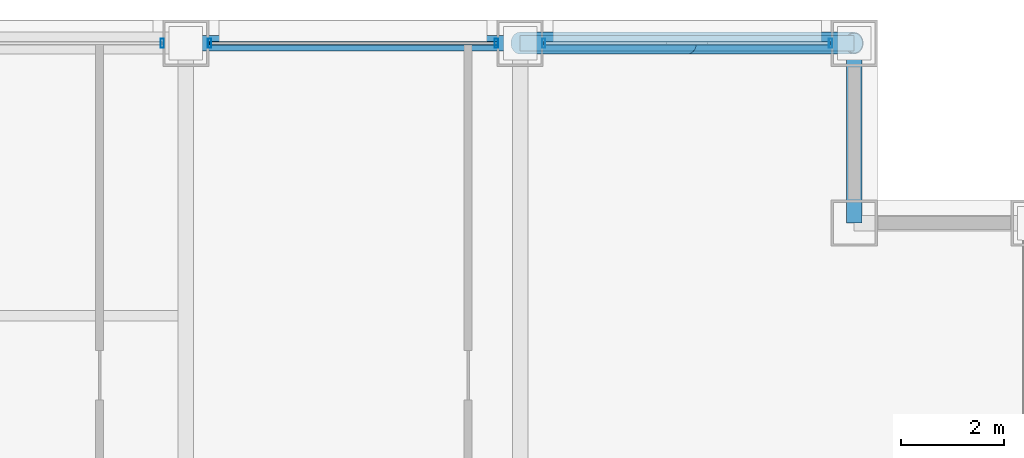
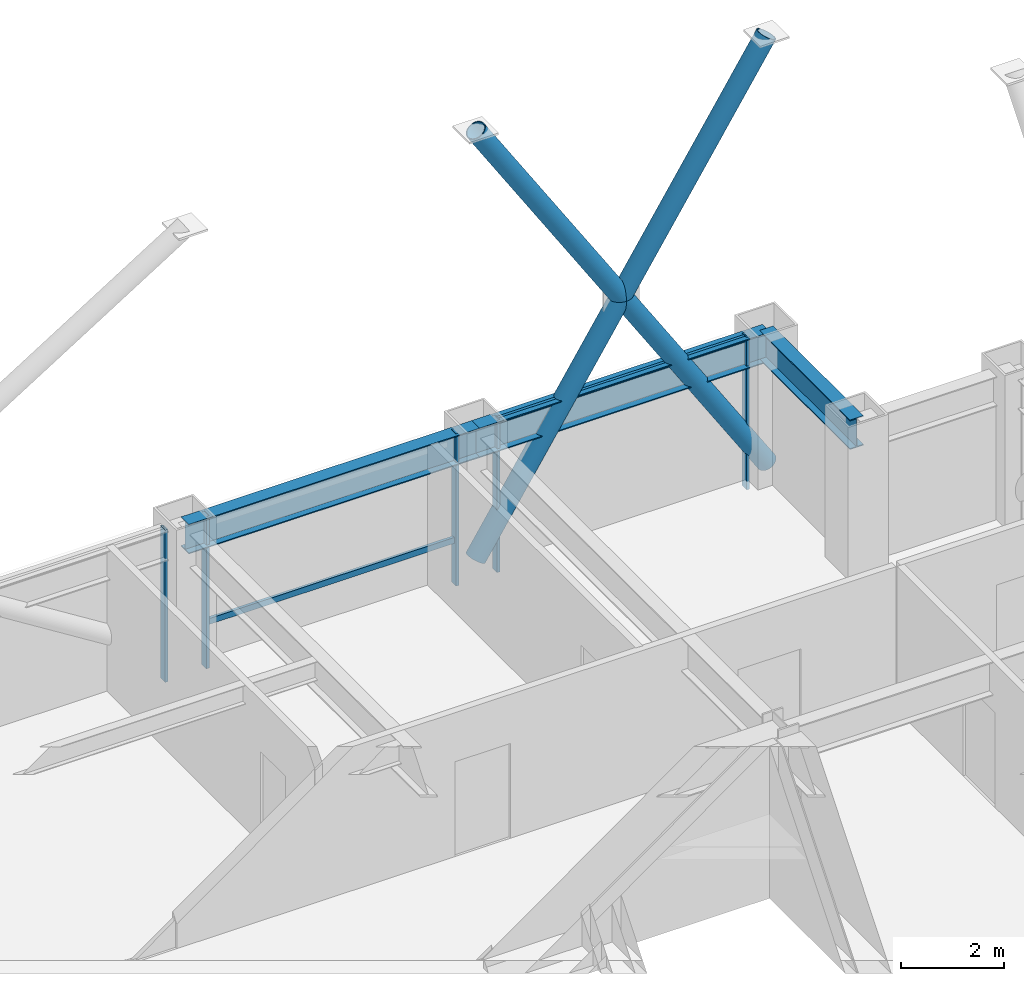
# One storey, part 21 of 29: 10 members, 3 beams, 3 elements without a shape of their own.
"""IFC4 building model written with IfcOpenShell, lengths in metres."""

from ifc_helpers import new_model, si_unit, direction, frame, origin, origin_2d, place, context, subcontext, project, spatial, hollow_rectangle, hollow_circle, i_section, extrude, material, layer, layer_set, material_profile, profile_set, type_object, element, aggregate, save


model = new_model("IFC4")

# Units and contexts
model_context = context("Model", 3, precision=1e-05, world=origin(), true_north=direction((0.0, 1.0)))
body_context = subcontext(model_context, "Body", "Model", "MODEL_VIEW")
ifc_project = project(units=[si_unit("LENGTHUNIT", "METRE"), si_unit("AREAUNIT", "SQUARE_METRE"), si_unit("VOLUMEUNIT", "CUBIC_METRE"), si_unit("PLANEANGLEUNIT", "RADIAN"), si_unit("MASSUNIT", "GRAM", prefix="KILO")], contexts=[model_context])

# Site, building, storey
site_placement = place(None, origin())
site = spatial("IfcSite", under=ifc_project, at=site_placement, CompositionType="ELEMENT")
building_placement = place(site_placement, origin())
building = spatial("IfcBuilding", under=site, at=building_placement, Name="Brelmoor Portico Tower", CompositionType="ELEMENT")
storey_placement = place(building_placement, frame((0.0, 0.0, 67.199951171875)))
storey = spatial("IfcBuildingStorey", under=building, at=storey_placement, Name="L17", CompositionType="ELEMENT", Elevation=67.199951171875)

# Beams
ifc_material_1 = material(Name="Steel Q355B", Category="steel")
ifc_material_profile_1 = material_profile(ifc_material_1, i_section(OverallWidth=0.300048828125, OverallDepth=0.699951171875, WebThickness=0.012939453125, FlangeThickness=0.02392578125, at=origin_2d()), Name="HN 700x300x13x24")
ifc_profile_set_1 = profile_set([ifc_material_profile_1], Name="Steel Q355B")
beam_type = type_object("IfcBeamType", Name="BM-SP-700", PredefinedType="SPANDREL", material=ifc_profile_set_1)
for number, where, z_axis, x_axis, name in (
    (1, (8.050048828125, 21.550048828125, 3.050048828125), (1.0, 0.0, 0.0), (0.0, 1.0, 0.0), "L17 Perimeter Spandrel Beam SP-13"),
    (2, (14.550048828125, 21.550048828125, 3.050048828125), (1.0, 0.0, 0.0), (0.0, 1.0, 0.0), "L17 Perimeter Spandrel Beam SP-14"),
):
    element("IfcBeam", number, at=place(storey_placement, frame(where, z_axis=z_axis, x_axis=x_axis)), inside=storey, type_object=beam_type, Name=name, PredefinedType="SPANDREL", context=body_context, shape_type="SweptSolid", body=[
        extrude(i_section(OverallWidth=0.300048828125, OverallDepth=0.699951171875, WebThickness=0.012939453125, FlangeThickness=0.02392578125, at=origin_2d()), origin(), (0.0, 0.0, 1.0), 6.5),
    ])
beam_placement = place(storey_placement, frame((21.050048828125, 18.050048828125, 3.050048828125), z_axis=(0.0, 1.0, 0.0), x_axis=(-1.0, 0.0, 0.0)))
element("IfcBeam", 3, at=beam_placement, inside=storey, type_object=beam_type, Name="L17 Perimeter Spandrel Beam SP-21", PredefinedType="SPANDREL", context=body_context, shape_type="SweptSolid", body=[
    extrude(i_section(OverallWidth=0.300048828125, OverallDepth=0.699951171875, WebThickness=0.012939453125, FlangeThickness=0.02392578125, at=origin_2d()), origin(), (0.0, 0.0, 1.0), 3.5),
])

# Members
ifc_material_profile_2 = material_profile(ifc_material_1, hollow_circle(Radius=0.212890625, WallThickness=0.02001953125, at=origin_2d()), Name="CHS 426x20")
ifc_profile_set_2 = profile_set([ifc_material_profile_2], Name="Steel Q355B")
member_type_1 = type_object("IfcMemberType", Name="MB-BELT-DIAG1", PredefinedType="BRACE", material=ifc_profile_set_2)
member_1_placement = place(storey_placement, frame((14.550048828125, 21.550048828125, 0.25), z_axis=(0.541174623135, 0.0, 0.840910237347), x_axis=(0.0, 1.0, 0.0)))
element("IfcMember", 4, at=member_1_placement, inside=storey, type_object=member_type_1, Name="L17 Continuous Mega-X Brace 038A", PredefinedType="BRACE", context=body_context, shape_type="SweptSolid", body=[
    extrude(hollow_circle(Radius=0.212890625, WallThickness=0.02001953125, at=origin_2d()), origin(), (0.0, 0.0, 1.0), 12.010986328125),
])
for number, where, z_axis, x_axis, name in (
    (5, (21.050048828125, 21.550048828125, 0.25), (-0.541174623135, 0.0, 0.840910237347), (0.0, -1.0, 0.0), "L17 Split Mega-X Brace 038B1"),
    (6, (17.800048828125, 21.550048828125, 5.300048828125), (-0.541174623135, 0.0, 0.840910237347), (0.0, -1.0, 0.0), "L17 Split Mega-X Brace 038B2"),
):
    element("IfcMember", number, at=place(storey_placement, frame(where, z_axis=z_axis, x_axis=x_axis)), inside=storey, type_object=member_type_1, Name=name, PredefinedType="BRACE", context=body_context, shape_type="SweptSolid", body=[
        extrude(hollow_circle(Radius=0.212890625, WallThickness=0.02001953125, at=origin_2d()), origin(), (0.0, 0.0, 1.0), 6.00537109375),
    ])

# Curtain wall, member
ifc_material_2 = material(Name="Anodised Aluminium Alloy 6063-T6", Category="aluminium")
ifc_layer_1 = layer(ifc_material_2, 0.179931640625)
ifc_layer_set_1 = layer_set([ifc_layer_1], Name="Anodised Aluminium Alloy 6063-T6")
curtain_wall_type_1 = type_object("IfcCurtainWallType", Name="CW-TOWER-Z1-XB", PredefinedType="NOTDEFINED", material=ifc_layer_set_1)
curtain_wall_1_placement = place(storey_placement, origin())
curtain_wall_1 = element("IfcCurtainWall", 7, at=curtain_wall_1_placement, inside=storey, type_object=curtain_wall_type_1, Name="L17 Curtain Wall CW-L17-02-3", PredefinedType="NOTDEFINED")
ifc_material_profile_3 = material_profile(ifc_material_2, hollow_rectangle(XDim=0.06494140625, YDim=0.179931640625, WallThickness=0.00390625, at=origin_2d()), Name="ALU MULLION 65x180")
ifc_profile_set_3 = profile_set([ifc_material_profile_3], Name="Anodised Aluminium Alloy 6063-T6")
member_type_2 = type_object("IfcMemberType", Name="MB-CW-MULL-180", PredefinedType="MULLION", material=ifc_profile_set_3)
member_2_placement = place(storey_placement, frame((7.590087890625, 21.550048828125, -0.199951171875), z_axis=(0.0, 0.0, 1.0), x_axis=(1.0, 0.0, 0.0)))
member_2 = element("IfcMember", 8, at=member_2_placement, type_object=member_type_2, Name="CW-L17-02-3 Mullion 01", PredefinedType="MULLION", context=body_context, shape_type="SweptSolid", body=[
    extrude(hollow_rectangle(XDim=0.06494140625, YDim=0.179931640625, WallThickness=0.00390625, at=origin_2d()), origin(), (0.0, 0.0, 1.0), 3.60009765625),
])
aggregate(curtain_wall_1, [member_2])

# Curtain wall, members
ifc_layer_2 = layer(ifc_material_2, 0.179931640625)
ifc_layer_set_2 = layer_set([ifc_layer_2], Name="Anodised Aluminium Alloy 6063-T6")
curtain_wall_type_2 = type_object("IfcCurtainWallType", Name="CW-TOWER-Z1", PredefinedType="NOTDEFINED", material=ifc_layer_set_2)
curtain_wall_2_placement = place(storey_placement, origin())
curtain_wall_2 = element("IfcCurtainWall", 9, at=curtain_wall_2_placement, inside=storey, type_object=curtain_wall_type_2, Name="L17 Curtain Wall CW-L17-02-4", PredefinedType="NOTDEFINED")
member_3_placement = place(storey_placement, frame((8.510009765625, 21.550048828125, -0.199951171875), z_axis=(0.0, 0.0, 1.0), x_axis=(1.0, 0.0, 0.0)))
member_3 = element("IfcMember", 10, at=member_3_placement, type_object=member_type_2, Name="CW-L17-02-4 Mullion 00", PredefinedType="MULLION", context=body_context, shape_type="SweptSolid", body=[
    extrude(hollow_rectangle(XDim=0.06494140625, YDim=0.179931640625, WallThickness=0.00390625, at=origin_2d()), origin(), (0.0, 0.0, 1.0), 3.60009765625),
])
member_4_placement = place(storey_placement, frame((14.090087890625, 21.550048828125, -0.199951171875), z_axis=(0.0, 0.0, 1.0), x_axis=(1.0, 0.0, 0.0)))
member_4 = element("IfcMember", 11, at=member_4_placement, type_object=member_type_2, Name="CW-L17-02-4 Mullion 01", PredefinedType="MULLION", context=body_context, shape_type="SweptSolid", body=[
    extrude(hollow_rectangle(XDim=0.06494140625, YDim=0.179931640625, WallThickness=0.00390625, at=origin_2d()), origin(), (0.0, 0.0, 1.0), 3.60009765625),
])

curtain_wall_3_placement = place(storey_placement, origin())
curtain_wall_3 = element("IfcCurtainWall", 12, at=curtain_wall_3_placement, inside=storey, type_object=curtain_wall_type_1, Name="L17 Curtain Wall CW-L17-02-5", PredefinedType="NOTDEFINED")
member_5_placement = place(storey_placement, frame((15.010009765625, 21.550048828125, -0.199951171875), z_axis=(0.0, 0.0, 1.0), x_axis=(1.0, 0.0, 0.0)))
member_5 = element("IfcMember", 13, at=member_5_placement, type_object=member_type_2, Name="CW-L17-02-5 Mullion 00", PredefinedType="MULLION", context=body_context, shape_type="SweptSolid", body=[
    extrude(hollow_rectangle(XDim=0.06494140625, YDim=0.179931640625, WallThickness=0.00390625, at=origin_2d()), origin(), (0.0, 0.0, 1.0), 3.60009765625),
])
member_6_placement = place(storey_placement, frame((20.590087890625, 21.550048828125, -0.199951171875), z_axis=(0.0, 0.0, 1.0), x_axis=(1.0, 0.0, 0.0)))
member_6 = element("IfcMember", 14, at=member_6_placement, type_object=member_type_2, Name="CW-L17-02-5 Mullion 01", PredefinedType="MULLION", context=body_context, shape_type="SweptSolid", body=[
    extrude(hollow_rectangle(XDim=0.06494140625, YDim=0.179931640625, WallThickness=0.00390625, at=origin_2d()), origin(), (0.0, 0.0, 1.0), 3.60009765625),
])

# Member
ifc_material_profile_4 = material_profile(ifc_material_2, hollow_rectangle(XDim=0.06494140625, YDim=0.139892578125, WallThickness=0.00390625, at=origin_2d()), Name="ALU TRANSOM 65x140")
ifc_profile_set_4 = profile_set([ifc_material_profile_4], Name="Anodised Aluminium Alloy 6063-T6")
member_type_3 = type_object("IfcMemberType", Name="MB-CW-TRAN-140", PredefinedType="USERDEFINED", material=ifc_profile_set_4)
member_7_placement = place(storey_placement, frame((8.510009765625, 21.550048828125, 0.85009765625), z_axis=(1.0, 0.0, 0.0), x_axis=(0.0, 1.0, 0.0)))
member_7 = element("IfcMember", 15, at=member_7_placement, type_object=member_type_3, Name="CW-L17-02-4 Transom 1-00", ObjectType="TRANSOM", PredefinedType="USERDEFINED", context=body_context, shape_type="SweptSolid", body=[
    extrude(hollow_rectangle(XDim=0.06494140625, YDim=0.139892578125, WallThickness=0.00390625, at=origin_2d()), origin(), (0.0, 0.0, 1.0), 5.580078125),
])

aggregate(curtain_wall_2, [member_3, member_4, member_7])

member_8_placement = place(storey_placement, frame((15.010009765625, 21.550048828125, 3.330078125), z_axis=(1.0, 0.0, 0.0), x_axis=(0.0, 1.0, 0.0)))
member_8 = element("IfcMember", 16, at=member_8_placement, type_object=member_type_3, Name="CW-L17-02-5 Transom 1-00", ObjectType="TRANSOM", PredefinedType="USERDEFINED", context=body_context, shape_type="SweptSolid", body=[
    extrude(hollow_rectangle(XDim=0.06494140625, YDim=0.139892578125, WallThickness=0.00390625, at=origin_2d()), origin(), (0.0, 0.0, 1.0), 5.580078125),
])

aggregate(curtain_wall_3, [member_5, member_6, member_8])

save(model, "model.ifc")
